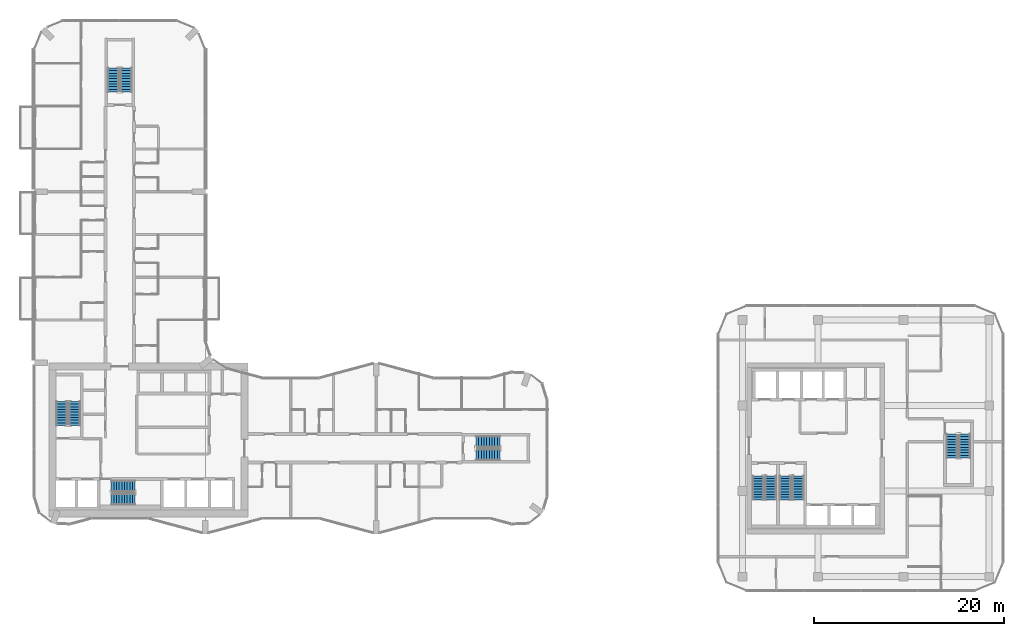
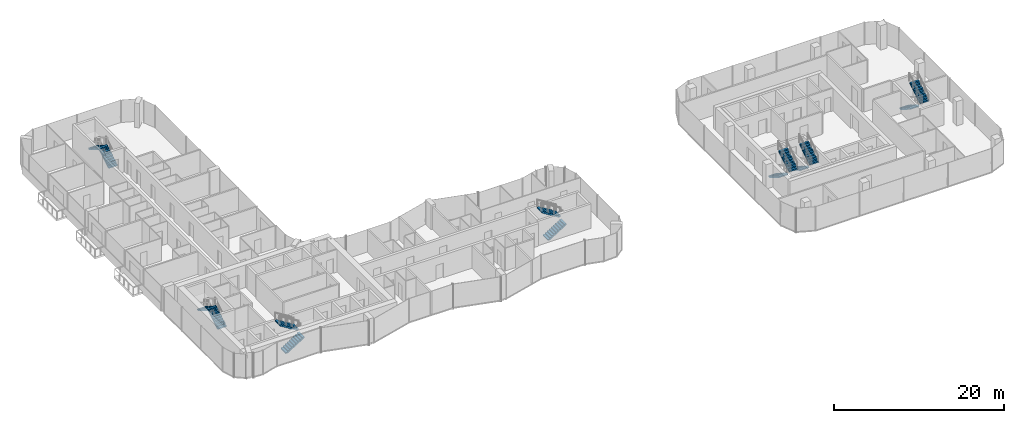
# One storey, part 19 of 22: 14 stair flights, 7 elements without a shape of their own.
"""IFC4 building model written with IfcOpenShell, lengths in metres."""

from ifc_helpers import new_model, si_unit, direction, frame, origin, place, context, subcontext, project, spatial, polyline, outline, extrude, material, type_object, element, aggregate, save


model = new_model("IFC4")

# Units and contexts
model_context = context("Model", 3, precision=1e-05, world=origin(), true_north=direction((0.0, 1.0)))
body_context = subcontext(model_context, "Body", "Model", "MODEL_VIEW")
ifc_project = project(units=[si_unit("LENGTHUNIT", "METRE"), si_unit("AREAUNIT", "SQUARE_METRE"), si_unit("VOLUMEUNIT", "CUBIC_METRE"), si_unit("PLANEANGLEUNIT", "RADIAN"), si_unit("MASSUNIT", "GRAM", prefix="KILO")], contexts=[model_context])

# Site, building, storey
site_placement = place(None, origin())
site = spatial("IfcSite", under=ifc_project, at=site_placement, CompositionType="ELEMENT")
building_placement = place(site_placement, origin())
building = spatial("IfcBuilding", under=site, at=building_placement, Name="Plateau Cross Towers", CompositionType="ELEMENT")
storey_placement = place(building_placement, frame((0.0, 0.0, 58.300048828125)))
storey = spatial("IfcBuildingStorey", under=building, at=storey_placement, Name="L14", CompositionType="ELEMENT", Elevation=58.300048828125)

# Stair, stair flights
ifc_material = material(Name="Concrete C40/50", Category="concrete")
stair_type = type_object("IfcStairType", Name="ST-TWR", PredefinedType="HALF_TURN_STAIR", material=ifc_material)
stair_1_placement = place(storey_placement, origin())
stair_1 = element("IfcStair", 1, at=stair_1_placement, inside=storey, type_object=stair_type, Name="L14 Protected Exit Stair ST-1", PredefinedType="HALF_TURN_STAIR")
stair_flight_type = type_object("IfcStairFlightType", Name="SFL-RC", PredefinedType="STRAIGHT", material=ifc_material)
stair_flight_1_placement = place(storey_placement, frame((4.25, 11.39990234375, 0.0), z_axis=(0.0, 0.0, 1.0), x_axis=(0.0, 1.0, 0.0)))
stair_flight_1 = element("IfcStairFlight", 2, at=stair_flight_1_placement, type_object=stair_flight_type, Name="ST-1 flight 1", NumberOfRisers=10, NumberOfTreads=9, PredefinedType="STRAIGHT", RiserHeight=0.175, TreadLength=0.28, context=body_context, shape_type="SweptSolid", body=[
    extrude(outline(polyline([(-0.0048828125, -0.010009765625), (-0.0048828125, 0.0), (0.0, 0.0), (0.0, 0.175048828125), (0.280029296875, 0.175048828125), (0.280029296875, 0.35009765625), (0.56005859375, 0.35009765625), (0.56005859375, 0.52490234375), (0.840087890625, 0.52490234375), (0.840087890625, 0.699951171875), (1.1201171875, 0.699951171875), (1.1201171875, 0.875), (1.39990234375, 0.875), (1.39990234375, 1.050048828125), (1.679931640625, 1.050048828125), (1.679931640625, 1.22509765625), (1.9599609375, 1.22509765625), (1.9599609375, 1.39990234375), (2.239990234375, 1.39990234375), (2.239990234375, 1.574951171875), (2.52001953125, 1.574951171875), (2.52490234375, 1.56494140625), (2.52490234375, 1.398193359375), (2.52001953125, 1.398193359375), (0.28271484375, 0.0), (0.02001953125, 0.0), (0.02001953125, -0.010009765625), (-0.0048828125, -0.010009765625)])), frame((0.0, 0.60009765625, 0.0), z_axis=(0.0, -1.0, 0.0), x_axis=(1.0, 0.0, 0.0)), (0.0, 0.0, 1.0), 1.199951171875),
])
stair_flight_2_placement = place(storey_placement, frame((2.89990234375, 13.919921875, 1.75), z_axis=(0.0, 0.0, 1.0), x_axis=(0.0, -1.0, 0.0)))
stair_flight_2 = element("IfcStairFlight", 3, at=stair_flight_2_placement, type_object=stair_flight_type, Name="ST-1 flight 2", NumberOfRisers=10, NumberOfTreads=9, PredefinedType="STRAIGHT", RiserHeight=0.175, TreadLength=0.28, context=body_context, shape_type="SweptSolid", body=[
    extrude(outline(polyline([(-0.0048828125, -0.010009765625), (-0.0048828125, 0.0), (0.0, 0.0), (0.0, 0.175048828125), (0.280029296875, 0.175048828125), (0.280029296875, 0.35009765625), (0.56005859375, 0.35009765625), (0.56005859375, 0.52490234375), (0.840087890625, 0.52490234375), (0.840087890625, 0.699951171875), (1.1201171875, 0.699951171875), (1.1201171875, 0.875), (1.39990234375, 0.875), (1.39990234375, 1.050048828125), (1.679931640625, 1.050048828125), (1.679931640625, 1.22509765625), (1.9599609375, 1.22509765625), (1.9599609375, 1.39990234375), (2.239990234375, 1.39990234375), (2.239990234375, 1.574951171875), (2.52001953125, 1.574951171875), (2.52490234375, 1.56494140625), (2.52490234375, 1.398193359375), (2.52001953125, 1.398193359375), (0.28271484375, 0.0), (0.02001953125, 0.0), (0.02001953125, -0.010009765625), (-0.0048828125, -0.010009765625)])), frame((0.0, 0.60009765625, 0.0), z_axis=(0.0, -1.0, 0.0), x_axis=(1.0, 0.0, 0.0)), (0.0, 0.0, 1.0), 1.199951171875),
])
aggregate(stair_1, [stair_flight_1, stair_flight_2])

stair_2_placement = place(storey_placement, origin())
stair_2 = element("IfcStair", 4, at=stair_2_placement, inside=storey, type_object=stair_type, Name="L14 Protected Exit Stair ST-2", PredefinedType="HALF_TURN_STAIR")
stair_flight_3_placement = place(storey_placement, frame((8.10009765625, 3.64990234375, 0.0), z_axis=(0.0, 0.0, 1.0), x_axis=(1.0, 0.0, 0.0)))
stair_flight_3 = element("IfcStairFlight", 5, at=stair_flight_3_placement, type_object=stair_flight_type, Name="ST-2 flight 1", NumberOfRisers=10, NumberOfTreads=9, PredefinedType="STRAIGHT", RiserHeight=0.175, TreadLength=0.28, context=body_context, shape_type="SweptSolid", body=[
    extrude(outline(polyline([(-0.0048828125, -0.010009765625), (-0.0048828125, 0.0), (0.0, 0.0), (0.0, 0.175048828125), (0.280029296875, 0.175048828125), (0.280029296875, 0.35009765625), (0.56005859375, 0.35009765625), (0.56005859375, 0.52490234375), (0.840087890625, 0.52490234375), (0.840087890625, 0.699951171875), (1.1201171875, 0.699951171875), (1.1201171875, 0.875), (1.39990234375, 0.875), (1.39990234375, 1.050048828125), (1.679931640625, 1.050048828125), (1.679931640625, 1.22509765625), (1.9599609375, 1.22509765625), (1.9599609375, 1.39990234375), (2.239990234375, 1.39990234375), (2.239990234375, 1.574951171875), (2.52001953125, 1.574951171875), (2.52490234375, 1.56494140625), (2.52490234375, 1.398193359375), (2.52001953125, 1.398193359375), (0.28271484375, 0.0), (0.02001953125, 0.0), (0.02001953125, -0.010009765625), (-0.0048828125, -0.010009765625)])), frame((0.0, 0.60009765625, 0.0), z_axis=(0.0, -1.0, 0.0), x_axis=(1.0, 0.0, 0.0)), (0.0, 0.0, 1.0), 1.199951171875),
])
stair_flight_4_placement = place(storey_placement, frame((10.6201171875, 5.0, 1.75), z_axis=(0.0, 0.0, 1.0), x_axis=(-1.0, 0.0, 0.0)))
stair_flight_4 = element("IfcStairFlight", 6, at=stair_flight_4_placement, type_object=stair_flight_type, Name="ST-2 flight 2", NumberOfRisers=10, NumberOfTreads=9, PredefinedType="STRAIGHT", RiserHeight=0.175, TreadLength=0.28, context=body_context, shape_type="SweptSolid", body=[
    extrude(outline(polyline([(-0.0048828125, -0.010009765625), (-0.0048828125, 0.0), (0.0, 0.0), (0.0, 0.175048828125), (0.280029296875, 0.175048828125), (0.280029296875, 0.35009765625), (0.56005859375, 0.35009765625), (0.56005859375, 0.52490234375), (0.840087890625, 0.52490234375), (0.840087890625, 0.699951171875), (1.1201171875, 0.699951171875), (1.1201171875, 0.875), (1.39990234375, 0.875), (1.39990234375, 1.050048828125), (1.679931640625, 1.050048828125), (1.679931640625, 1.22509765625), (1.9599609375, 1.22509765625), (1.9599609375, 1.39990234375), (2.239990234375, 1.39990234375), (2.239990234375, 1.574951171875), (2.52001953125, 1.574951171875), (2.52490234375, 1.56494140625), (2.52490234375, 1.398193359375), (2.52001953125, 1.398193359375), (0.28271484375, 0.0), (0.02001953125, 0.0), (0.02001953125, -0.010009765625), (-0.0048828125, -0.010009765625)])), frame((0.0, 0.60009765625, 0.0), z_axis=(0.0, -1.0, 0.0), x_axis=(1.0, 0.0, 0.0)), (0.0, 0.0, 1.0), 1.199951171875),
])
aggregate(stair_2, [stair_flight_3, stair_flight_4])

stair_3_placement = place(storey_placement, origin())
stair_3 = element("IfcStair", 7, at=stair_3_placement, inside=storey, type_object=stair_type, Name="L14 Protected Exit Stair SB-1", PredefinedType="HALF_TURN_STAIR")
stair_flight_5_placement = place(storey_placement, frame((76.199951171875, 6.10009765625, 0.0), z_axis=(0.0, 0.0, 1.0), x_axis=(0.0, -1.0, 0.0)))
stair_flight_5 = element("IfcStairFlight", 8, at=stair_flight_5_placement, type_object=stair_flight_type, Name="SB-1 flight 1", NumberOfRisers=10, NumberOfTreads=9, PredefinedType="STRAIGHT", RiserHeight=0.175, TreadLength=0.28, context=body_context, shape_type="SweptSolid", body=[
    extrude(outline(polyline([(-0.0048828125, -0.010009765625), (-0.0048828125, 0.0), (0.0, 0.0), (0.0, 0.175048828125), (0.280029296875, 0.175048828125), (0.280029296875, 0.35009765625), (0.56005859375, 0.35009765625), (0.56005859375, 0.52490234375), (0.840087890625, 0.52490234375), (0.840087890625, 0.699951171875), (1.1201171875, 0.699951171875), (1.1201171875, 0.875), (1.39990234375, 0.875), (1.39990234375, 1.050048828125), (1.679931640625, 1.050048828125), (1.679931640625, 1.22509765625), (1.9599609375, 1.22509765625), (1.9599609375, 1.39990234375), (2.239990234375, 1.39990234375), (2.239990234375, 1.574951171875), (2.52001953125, 1.574951171875), (2.52490234375, 1.56494140625), (2.52490234375, 1.398193359375), (2.52001953125, 1.398193359375), (0.28271484375, 0.0), (0.02001953125, 0.0), (0.02001953125, -0.010009765625), (-0.0048828125, -0.010009765625)])), frame((0.0, 0.60009765625, 0.0), z_axis=(0.0, -1.0, 0.0), x_axis=(1.0, 0.0, 0.0)), (0.0, 0.0, 1.0), 1.199951171875),
])
stair_flight_6_placement = place(storey_placement, frame((77.550048828125, 3.580078125, 1.75), z_axis=(0.0, 0.0, 1.0), x_axis=(0.0, 1.0, 0.0)))
stair_flight_6 = element("IfcStairFlight", 9, at=stair_flight_6_placement, type_object=stair_flight_type, Name="SB-1 flight 2", NumberOfRisers=10, NumberOfTreads=9, PredefinedType="STRAIGHT", RiserHeight=0.175, TreadLength=0.28, context=body_context, shape_type="SweptSolid", body=[
    extrude(outline(polyline([(-0.0048828125, -0.010009765625), (-0.0048828125, 0.0), (0.0, 0.0), (0.0, 0.175048828125), (0.280029296875, 0.175048828125), (0.280029296875, 0.35009765625), (0.56005859375, 0.35009765625), (0.56005859375, 0.52490234375), (0.840087890625, 0.52490234375), (0.840087890625, 0.699951171875), (1.1201171875, 0.699951171875), (1.1201171875, 0.875), (1.39990234375, 0.875), (1.39990234375, 1.050048828125), (1.679931640625, 1.050048828125), (1.679931640625, 1.22509765625), (1.9599609375, 1.22509765625), (1.9599609375, 1.39990234375), (2.239990234375, 1.39990234375), (2.239990234375, 1.574951171875), (2.52001953125, 1.574951171875), (2.52490234375, 1.56494140625), (2.52490234375, 1.398193359375), (2.52001953125, 1.398193359375), (0.28271484375, 0.0), (0.02001953125, 0.0), (0.02001953125, -0.010009765625), (-0.0048828125, -0.010009765625)])), frame((0.0, 0.60009765625, 0.0), z_axis=(0.0, -1.0, 0.0), x_axis=(1.0, 0.0, 0.0)), (0.0, 0.0, 1.0), 1.199951171875),
])
aggregate(stair_3, [stair_flight_5, stair_flight_6])

stair_4_placement = place(storey_placement, origin())
stair_4 = element("IfcStair", 10, at=stair_4_placement, inside=storey, type_object=stair_type, Name="L14 Protected Exit Stair SB-2", PredefinedType="HALF_TURN_STAIR")
stair_flight_7_placement = place(storey_placement, frame((79.050048828125, 6.10009765625, 0.0), z_axis=(0.0, 0.0, 1.0), x_axis=(0.0, -1.0, 0.0)))
stair_flight_7 = element("IfcStairFlight", 11, at=stair_flight_7_placement, type_object=stair_flight_type, Name="SB-2 flight 1", NumberOfRisers=10, NumberOfTreads=9, PredefinedType="STRAIGHT", RiserHeight=0.175, TreadLength=0.28, context=body_context, shape_type="SweptSolid", body=[
    extrude(outline(polyline([(-0.0048828125, -0.010009765625), (-0.0048828125, 0.0), (0.0, 0.0), (0.0, 0.175048828125), (0.280029296875, 0.175048828125), (0.280029296875, 0.35009765625), (0.56005859375, 0.35009765625), (0.56005859375, 0.52490234375), (0.840087890625, 0.52490234375), (0.840087890625, 0.699951171875), (1.1201171875, 0.699951171875), (1.1201171875, 0.875), (1.39990234375, 0.875), (1.39990234375, 1.050048828125), (1.679931640625, 1.050048828125), (1.679931640625, 1.22509765625), (1.9599609375, 1.22509765625), (1.9599609375, 1.39990234375), (2.239990234375, 1.39990234375), (2.239990234375, 1.574951171875), (2.52001953125, 1.574951171875), (2.52490234375, 1.56494140625), (2.52490234375, 1.398193359375), (2.52001953125, 1.398193359375), (0.28271484375, 0.0), (0.02001953125, 0.0), (0.02001953125, -0.010009765625), (-0.0048828125, -0.010009765625)])), frame((0.0, 0.60009765625, 0.0), z_axis=(0.0, -1.0, 0.0), x_axis=(1.0, 0.0, 0.0)), (0.0, 0.0, 1.0), 1.199951171875),
])
stair_flight_8_placement = place(storey_placement, frame((80.39990234375, 3.580078125, 1.75), z_axis=(0.0, 0.0, 1.0), x_axis=(0.0, 1.0, 0.0)))
stair_flight_8 = element("IfcStairFlight", 12, at=stair_flight_8_placement, type_object=stair_flight_type, Name="SB-2 flight 2", NumberOfRisers=10, NumberOfTreads=9, PredefinedType="STRAIGHT", RiserHeight=0.175, TreadLength=0.28, context=body_context, shape_type="SweptSolid", body=[
    extrude(outline(polyline([(-0.0048828125, -0.010009765625), (-0.0048828125, 0.0), (0.0, 0.0), (0.0, 0.175048828125), (0.280029296875, 0.175048828125), (0.280029296875, 0.35009765625), (0.56005859375, 0.35009765625), (0.56005859375, 0.52490234375), (0.840087890625, 0.52490234375), (0.840087890625, 0.699951171875), (1.1201171875, 0.699951171875), (1.1201171875, 0.875), (1.39990234375, 0.875), (1.39990234375, 1.050048828125), (1.679931640625, 1.050048828125), (1.679931640625, 1.22509765625), (1.9599609375, 1.22509765625), (1.9599609375, 1.39990234375), (2.239990234375, 1.39990234375), (2.239990234375, 1.574951171875), (2.52001953125, 1.574951171875), (2.52490234375, 1.56494140625), (2.52490234375, 1.398193359375), (2.52001953125, 1.398193359375), (0.28271484375, 0.0), (0.02001953125, 0.0), (0.02001953125, -0.010009765625), (-0.0048828125, -0.010009765625)])), frame((0.0, 0.60009765625, 0.0), z_axis=(0.0, -1.0, 0.0), x_axis=(1.0, 0.0, 0.0)), (0.0, 0.0, 1.0), 1.199951171875),
])
aggregate(stair_4, [stair_flight_7, stair_flight_8])

stair_5_placement = place(storey_placement, origin())
stair_5 = element("IfcStair", 13, at=stair_5_placement, inside=storey, type_object=stair_type, Name="L14 Protected Exit Stair SB-3", PredefinedType="HALF_TURN_STAIR")
stair_flight_9_placement = place(storey_placement, frame((96.60009765625, 10.5, 0.0), z_axis=(0.0, 0.0, 1.0), x_axis=(0.0, -1.0, 0.0)))
stair_flight_9 = element("IfcStairFlight", 14, at=stair_flight_9_placement, type_object=stair_flight_type, Name="SB-3 flight 1", NumberOfRisers=10, NumberOfTreads=9, PredefinedType="STRAIGHT", RiserHeight=0.175, TreadLength=0.28, context=body_context, shape_type="SweptSolid", body=[
    extrude(outline(polyline([(-0.0048828125, -0.010009765625), (-0.0048828125, 0.0), (0.0, 0.0), (0.0, 0.175048828125), (0.280029296875, 0.175048828125), (0.280029296875, 0.35009765625), (0.56005859375, 0.35009765625), (0.56005859375, 0.52490234375), (0.840087890625, 0.52490234375), (0.840087890625, 0.699951171875), (1.1201171875, 0.699951171875), (1.1201171875, 0.875), (1.39990234375, 0.875), (1.39990234375, 1.050048828125), (1.679931640625, 1.050048828125), (1.679931640625, 1.22509765625), (1.9599609375, 1.22509765625), (1.9599609375, 1.39990234375), (2.239990234375, 1.39990234375), (2.239990234375, 1.574951171875), (2.52001953125, 1.574951171875), (2.52490234375, 1.56494140625), (2.52490234375, 1.398193359375), (2.52001953125, 1.398193359375), (0.28271484375, 0.0), (0.02001953125, 0.0), (0.02001953125, -0.010009765625), (-0.0048828125, -0.010009765625)])), frame((0.0, 0.60009765625, 0.0), z_axis=(0.0, -1.0, 0.0), x_axis=(1.0, 0.0, 0.0)), (0.0, 0.0, 1.0), 1.199951171875),
])
stair_flight_10_placement = place(storey_placement, frame((97.949951171875, 7.97998046875, 1.75), z_axis=(0.0, 0.0, 1.0), x_axis=(0.0, 1.0, 0.0)))
stair_flight_10 = element("IfcStairFlight", 15, at=stair_flight_10_placement, type_object=stair_flight_type, Name="SB-3 flight 2", NumberOfRisers=10, NumberOfTreads=9, PredefinedType="STRAIGHT", RiserHeight=0.175, TreadLength=0.28, context=body_context, shape_type="SweptSolid", body=[
    extrude(outline(polyline([(-0.0048828125, -0.010009765625), (-0.0048828125, 0.0), (0.0, 0.0), (0.0, 0.175048828125), (0.280029296875, 0.175048828125), (0.280029296875, 0.35009765625), (0.56005859375, 0.35009765625), (0.56005859375, 0.52490234375), (0.840087890625, 0.52490234375), (0.840087890625, 0.699951171875), (1.1201171875, 0.699951171875), (1.1201171875, 0.875), (1.39990234375, 0.875), (1.39990234375, 1.050048828125), (1.679931640625, 1.050048828125), (1.679931640625, 1.22509765625), (1.9599609375, 1.22509765625), (1.9599609375, 1.39990234375), (2.239990234375, 1.39990234375), (2.239990234375, 1.574951171875), (2.52001953125, 1.574951171875), (2.52490234375, 1.56494140625), (2.52490234375, 1.398193359375), (2.52001953125, 1.398193359375), (0.28271484375, 0.0), (0.02001953125, 0.0), (0.02001953125, -0.010009765625), (-0.0048828125, -0.010009765625)])), frame((0.0, 0.60009765625, 0.0), z_axis=(0.0, -1.0, 0.0), x_axis=(1.0, 0.0, 0.0)), (0.0, 0.0, 1.0), 1.199951171875),
])
aggregate(stair_5, [stair_flight_9, stair_flight_10])

stair_6_placement = place(storey_placement, origin())
stair_6 = element("IfcStair", 16, at=stair_6_placement, inside=storey, type_object=stair_type, Name="L14 Protected Exit Stair E", PredefinedType="HALF_TURN_STAIR")
stair_flight_11_placement = place(storey_placement, frame((46.5, 8.324951171875, 0.0), z_axis=(0.0, 0.0, 1.0), x_axis=(1.0, 0.0, 0.0)))
stair_flight_11 = element("IfcStairFlight", 17, at=stair_flight_11_placement, type_object=stair_flight_type, Name="ES-E flight 1", NumberOfRisers=10, NumberOfTreads=9, PredefinedType="STRAIGHT", RiserHeight=0.175, TreadLength=0.28, context=body_context, shape_type="SweptSolid", body=[
    extrude(outline(polyline([(-0.0048828125, -0.010009765625), (-0.0048828125, 0.0), (0.0, 0.0), (0.0, 0.175048828125), (0.280029296875, 0.175048828125), (0.280029296875, 0.35009765625), (0.56005859375, 0.35009765625), (0.56005859375, 0.52490234375), (0.840087890625, 0.52490234375), (0.840087890625, 0.699951171875), (1.1201171875, 0.699951171875), (1.1201171875, 0.875), (1.39990234375, 0.875), (1.39990234375, 1.050048828125), (1.679931640625, 1.050048828125), (1.679931640625, 1.22509765625), (1.9599609375, 1.22509765625), (1.9599609375, 1.39990234375), (2.239990234375, 1.39990234375), (2.239990234375, 1.574951171875), (2.52001953125, 1.574951171875), (2.52490234375, 1.56494140625), (2.52490234375, 1.398193359375), (2.52001953125, 1.398193359375), (0.28271484375, 0.0), (0.02001953125, 0.0), (0.02001953125, -0.010009765625), (-0.0048828125, -0.010009765625)])), frame((0.0, 0.60009765625, 0.0), z_axis=(0.0, -1.0, 0.0), x_axis=(1.0, 0.0, 0.0)), (0.0, 0.0, 1.0), 1.199951171875),
])
stair_flight_12_placement = place(storey_placement, frame((49.02001953125, 9.675048828125, 1.75), z_axis=(0.0, 0.0, 1.0), x_axis=(-1.0, 0.0, 0.0)))
stair_flight_12 = element("IfcStairFlight", 18, at=stair_flight_12_placement, type_object=stair_flight_type, Name="ES-E flight 2", NumberOfRisers=10, NumberOfTreads=9, PredefinedType="STRAIGHT", RiserHeight=0.175, TreadLength=0.28, context=body_context, shape_type="SweptSolid", body=[
    extrude(outline(polyline([(-0.0048828125, -0.010009765625), (-0.0048828125, 0.0), (0.0, 0.0), (0.0, 0.175048828125), (0.280029296875, 0.175048828125), (0.280029296875, 0.35009765625), (0.56005859375, 0.35009765625), (0.56005859375, 0.52490234375), (0.840087890625, 0.52490234375), (0.840087890625, 0.699951171875), (1.1201171875, 0.699951171875), (1.1201171875, 0.875), (1.39990234375, 0.875), (1.39990234375, 1.050048828125), (1.679931640625, 1.050048828125), (1.679931640625, 1.22509765625), (1.9599609375, 1.22509765625), (1.9599609375, 1.39990234375), (2.239990234375, 1.39990234375), (2.239990234375, 1.574951171875), (2.52001953125, 1.574951171875), (2.52490234375, 1.56494140625), (2.52490234375, 1.398193359375), (2.52001953125, 1.398193359375), (0.28271484375, 0.0), (0.02001953125, 0.0), (0.02001953125, -0.010009765625), (-0.0048828125, -0.010009765625)])), frame((0.0, 0.60009765625, 0.0), z_axis=(0.0, -1.0, 0.0), x_axis=(1.0, 0.0, 0.0)), (0.0, 0.0, 1.0), 1.199951171875),
])
aggregate(stair_6, [stair_flight_11, stair_flight_12])

stair_7_placement = place(storey_placement, origin())
stair_7 = element("IfcStair", 19, at=stair_7_placement, inside=storey, type_object=stair_type, Name="L14 Protected Exit Stair N", PredefinedType="HALF_TURN_STAIR")
stair_flight_13_placement = place(storey_placement, frame((9.675048828125, 46.5, 0.0), z_axis=(0.0, 0.0, 1.0), x_axis=(0.0, 1.0, 0.0)))
stair_flight_13 = element("IfcStairFlight", 20, at=stair_flight_13_placement, type_object=stair_flight_type, Name="ES-N flight 1", NumberOfRisers=10, NumberOfTreads=9, PredefinedType="STRAIGHT", RiserHeight=0.175, TreadLength=0.28, context=body_context, shape_type="SweptSolid", body=[
    extrude(outline(polyline([(-0.0048828125, -0.010009765625), (-0.0048828125, 0.0), (0.0, 0.0), (0.0, 0.175048828125), (0.280029296875, 0.175048828125), (0.280029296875, 0.35009765625), (0.56005859375, 0.35009765625), (0.56005859375, 0.52490234375), (0.840087890625, 0.52490234375), (0.840087890625, 0.699951171875), (1.1201171875, 0.699951171875), (1.1201171875, 0.875), (1.39990234375, 0.875), (1.39990234375, 1.050048828125), (1.679931640625, 1.050048828125), (1.679931640625, 1.22509765625), (1.9599609375, 1.22509765625), (1.9599609375, 1.39990234375), (2.239990234375, 1.39990234375), (2.239990234375, 1.574951171875), (2.52001953125, 1.574951171875), (2.52490234375, 1.56494140625), (2.52490234375, 1.398193359375), (2.52001953125, 1.398193359375), (0.28271484375, 0.0), (0.02001953125, 0.0), (0.02001953125, -0.010009765625), (-0.0048828125, -0.010009765625)])), frame((0.0, 0.60009765625, 0.0), z_axis=(0.0, -1.0, 0.0), x_axis=(1.0, 0.0, 0.0)), (0.0, 0.0, 1.0), 1.199951171875),
])
stair_flight_14_placement = place(storey_placement, frame((8.324951171875, 49.02001953125, 1.75), z_axis=(0.0, 0.0, 1.0), x_axis=(0.0, -1.0, 0.0)))
stair_flight_14 = element("IfcStairFlight", 21, at=stair_flight_14_placement, type_object=stair_flight_type, Name="ES-N flight 2", NumberOfRisers=10, NumberOfTreads=9, PredefinedType="STRAIGHT", RiserHeight=0.175, TreadLength=0.28, context=body_context, shape_type="SweptSolid", body=[
    extrude(outline(polyline([(-0.0048828125, -0.010009765625), (-0.0048828125, 0.0), (0.0, 0.0), (0.0, 0.175048828125), (0.280029296875, 0.175048828125), (0.280029296875, 0.35009765625), (0.56005859375, 0.35009765625), (0.56005859375, 0.52490234375), (0.840087890625, 0.52490234375), (0.840087890625, 0.699951171875), (1.1201171875, 0.699951171875), (1.1201171875, 0.875), (1.39990234375, 0.875), (1.39990234375, 1.050048828125), (1.679931640625, 1.050048828125), (1.679931640625, 1.22509765625), (1.9599609375, 1.22509765625), (1.9599609375, 1.39990234375), (2.239990234375, 1.39990234375), (2.239990234375, 1.574951171875), (2.52001953125, 1.574951171875), (2.52490234375, 1.56494140625), (2.52490234375, 1.398193359375), (2.52001953125, 1.398193359375), (0.28271484375, 0.0), (0.02001953125, 0.0), (0.02001953125, -0.010009765625), (-0.0048828125, -0.010009765625)])), frame((0.0, 0.60009765625, 0.0), z_axis=(0.0, -1.0, 0.0), x_axis=(1.0, 0.0, 0.0)), (0.0, 0.0, 1.0), 1.199951171875),
])
aggregate(stair_7, [stair_flight_13, stair_flight_14])

save(model, "model.ifc")
